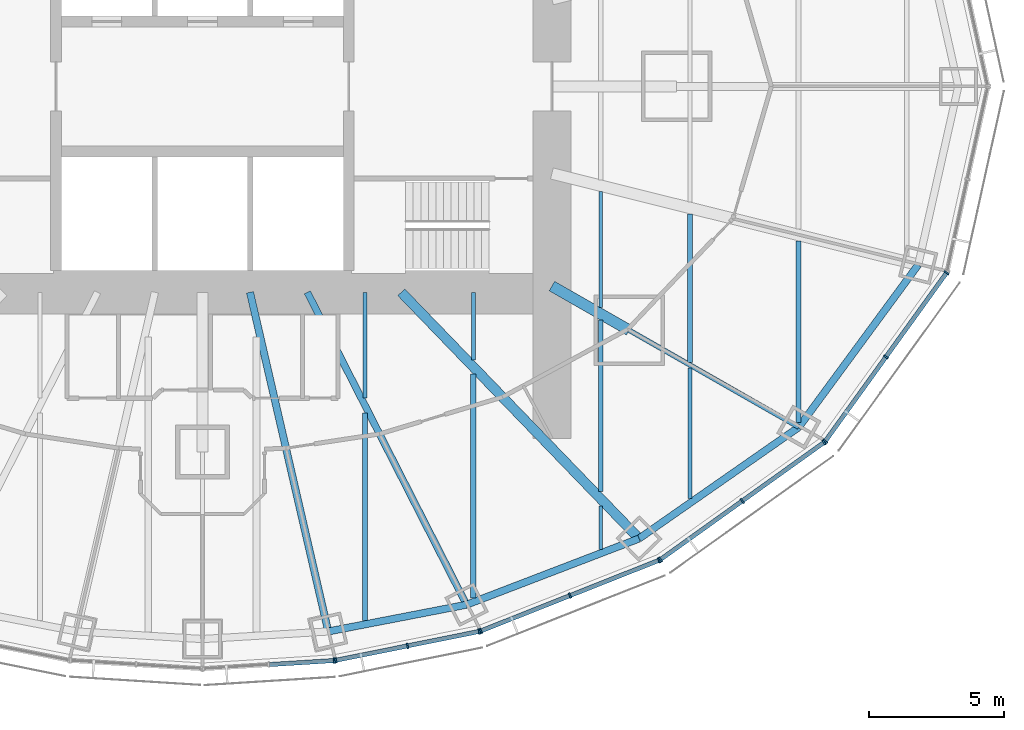
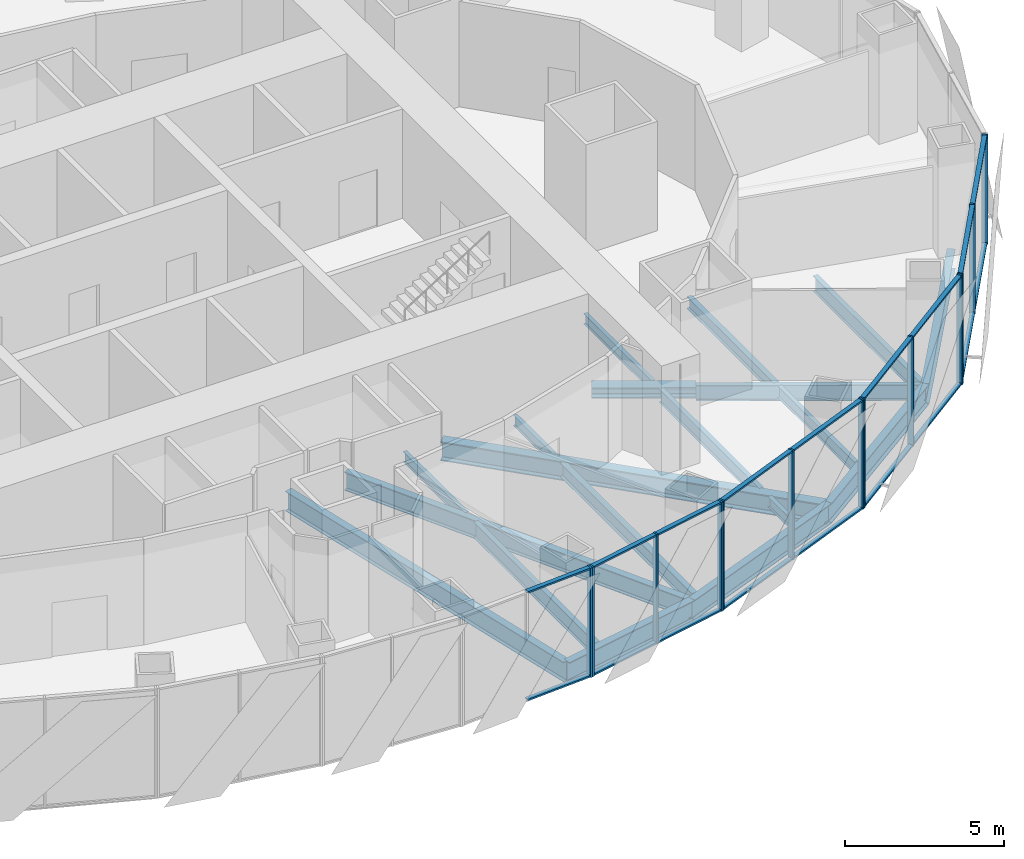
# One storey, part 5 of 18: 31 members, 19 beams, 5 elements without a shape of their own.
"""IFC4 building model written with IfcOpenShell, lengths in metres."""

from ifc_helpers import new_model, si_unit, direction, frame, origin, origin_2d, place, context, subcontext, project, spatial, rectangle, i_section, extrude, material, material_profile, profile_set, type_object, element, aggregate, save


model = new_model("IFC4")

# Units and contexts
model_context = context("Model", 3, precision=1e-05, world=origin(), true_north=direction((0.0, 1.0)))
body_context = subcontext(model_context, "Body", "Model", "MODEL_VIEW")
ifc_project = project(units=[si_unit("LENGTHUNIT", "METRE"), si_unit("AREAUNIT", "SQUARE_METRE"), si_unit("VOLUMEUNIT", "CUBIC_METRE"), si_unit("PLANEANGLEUNIT", "RADIAN"), si_unit("MASSUNIT", "GRAM", prefix="KILO")], contexts=[model_context])

# Site, building, storey
site_placement = place(None, origin())
site = spatial("IfcSite", under=ifc_project, at=site_placement, CompositionType="ELEMENT")
building_placement = place(site_placement, origin())
building = spatial("IfcBuilding", under=site, at=building_placement, Name="Lantaw Convention Tower", CompositionType="ELEMENT")
storey_placement = place(building_placement, frame((0.0, 0.0, 138.39990234375)))
storey = spatial("IfcBuildingStorey", under=building, at=storey_placement, Name="L32", CompositionType="ELEMENT", Elevation=138.39990234375)

# Beams
ifc_material_1 = material(Name="Steel ASTM A992", Category="steel")
ifc_material_profile_1 = material_profile(ifc_material_1, i_section(OverallWidth=0.2666015625, OverallDepth=0.76953125, WebThickness=0.015625, FlangeThickness=0.025390625, FilletRadius=0.0126953125, at=origin_2d()), Name="W30X132")
ifc_profile_set_1 = profile_set([ifc_material_profile_1], Name="Steel ASTM A992")
beam_type_1 = type_object("IfcBeamType", Name="Beam E W30X132", PredefinedType="SPANDREL", material=ifc_profile_set_1)
beam_1_placement = place(storey_placement, frame((4.64501953125, -20.1201171875, -0.53466796875), z_axis=(0.981796805654, 0.189934284446, 0.0), x_axis=(-0.189934284446, 0.981796805654, 0.0)))
element("IfcBeam", 1, at=beam_1_placement, inside=storey, type_object=beam_type_1, Name="Edge beam 20", PredefinedType="SPANDREL", context=body_context, shape_type="SweptSolid", body=[
    extrude(i_section(OverallWidth=0.2666015625, OverallDepth=0.76953125, WebThickness=0.015625, FlangeThickness=0.025390625, FilletRadius=0.0126953125, at=origin_2d()), origin(), (0.0, 0.0, 1.0), 5.1982421875),
])
beam_2_placement = place(storey_placement, frame((9.74853515625, -19.1328125, -0.53466796875), z_axis=(0.933691081977, 0.358079549033, 0.0), x_axis=(-0.358079549033, 0.933691081977, 0.0)))
element("IfcBeam", 2, at=beam_2_placement, inside=storey, type_object=beam_type_1, Name="Edge beam 21", PredefinedType="SPANDREL", context=body_context, shape_type="SweptSolid", body=[
    extrude(i_section(OverallWidth=0.2666015625, OverallDepth=0.76953125, WebThickness=0.015625, FlangeThickness=0.025390625, FilletRadius=0.0126953125, at=origin_2d()), origin(), (0.0, 0.0, 1.0), 6.821533203125),
])
beam_3_placement = place(storey_placement, frame((16.11767578125, -16.690185546875, -0.53466796875), z_axis=(0.820310765287, 0.57191804339, 0.0), x_axis=(-0.57191804339, 0.820310765287, 0.0)))
element("IfcBeam", 3, at=beam_3_placement, inside=storey, type_object=beam_type_1, Name="Edge beam 22", PredefinedType="SPANDREL", context=body_context, shape_type="SweptSolid", body=[
    extrude(i_section(OverallWidth=0.2666015625, OverallDepth=0.76953125, WebThickness=0.015625, FlangeThickness=0.025390625, FilletRadius=0.0126953125, at=origin_2d()), origin(), (0.0, 0.0, 1.0), 7.187744140625),
])
beam_4_placement = place(storey_placement, frame((22.013916015625, -12.579345703125, -0.53466796875), z_axis=(0.5923891972, 0.805651934176, 0.0), x_axis=(-0.805651934176, 0.5923891972, 0.0)))
element("IfcBeam", 4, at=beam_4_placement, inside=storey, type_object=beam_type_1, Name="Edge beam 23", PredefinedType="SPANDREL", context=body_context, shape_type="SweptSolid", body=[
    extrude(i_section(OverallWidth=0.2666015625, OverallDepth=0.76953125, WebThickness=0.015625, FlangeThickness=0.025390625, FilletRadius=0.0126953125, at=origin_2d()), origin(), (0.0, 0.0, 1.0), 7.437744140625),
])
ifc_material_profile_2 = material_profile(ifc_material_1, i_section(OverallWidth=0.177978515625, OverallDepth=0.599365234375, WebThickness=0.010009765625, FlangeThickness=0.012939453125, FilletRadius=0.012939453125, at=origin_2d()), Name="W24X55")
ifc_profile_set_2 = profile_set([ifc_material_profile_2], Name="Steel ASTM A992")
beam_type_2 = type_object("IfcBeamType", Name="Beam G W24X55", PredefinedType="BEAM", material=ifc_profile_set_2)
beam_5_placement = place(storey_placement, frame((15.75, -9.0, -0.44970703125), z_axis=(0.868245224608, -0.496135293993, 0.0), x_axis=(0.496135293993, 0.868245224608, 0.0)))
element("IfcBeam", 5, at=beam_5_placement, inside=storey, type_object=beam_type_2, Name="Floor girder on ray 23", PredefinedType="BEAM", context=body_context, shape_type="SweptSolid", body=[
    extrude(i_section(OverallWidth=0.177978515625, OverallDepth=0.599365234375, WebThickness=0.010009765625, FlangeThickness=0.012939453125, FilletRadius=0.012939453125, at=origin_2d()), origin(), (0.0, 0.0, 1.0), 7.21435546875),
])
ifc_material_profile_3 = material_profile(ifc_material_1, i_section(OverallWidth=0.25390625, OverallDepth=0.700927734375, WebThickness=0.015380859375, FlangeThickness=0.02783203125, FilletRadius=0.01513671875, at=origin_2d()), Name="W27X129")
ifc_profile_set_3 = profile_set([ifc_material_profile_3], Name="Steel ASTM A992")
beam_type_3 = type_object("IfcBeamType", Name="Beam G W27X129", PredefinedType="BEAM", material=ifc_profile_set_3)
beam_6_placement = place(storey_placement, frame((3.872314453125, -7.60009765625, -0.50048828125), z_axis=(0.453991051051, -0.891006243281, 0.0), x_axis=(0.891006243281, 0.453991051051, 0.0)))
element("IfcBeam", 6, at=beam_6_placement, inside=storey, type_object=beam_type_3, Name="Floor girder on ray 21", PredefinedType="BEAM", context=body_context, shape_type="SweptSolid", body=[
    extrude(i_section(OverallWidth=0.25390625, OverallDepth=0.700927734375, WebThickness=0.015380859375, FlangeThickness=0.02783203125, FilletRadius=0.01513671875, at=origin_2d()), origin(), (0.0, 0.0, 1.0), 12.943359375),
])
ifc_material_profile_4 = material_profile(ifc_material_1, i_section(OverallWidth=0.360595703125, OverallDepth=0.72900390625, WebThickness=0.023193359375, FlangeThickness=0.041015625, FilletRadius=0.0126953125, at=origin_2d()), Name="W27X235")
ifc_profile_set_4 = profile_set([ifc_material_profile_4], Name="Steel ASTM A992")
beam_type_4 = type_object("IfcBeamType", Name="Beam G W27X235", PredefinedType="BEAM", material=ifc_profile_set_4)
beam_7_placement = place(storey_placement, frame((7.33935546875, -7.60009765625, -0.514404296875), z_axis=(0.694663467407, -0.719334878239, 0.0), x_axis=(0.719334878239, 0.694663467407, 0.0)))
element("IfcBeam", 7, at=beam_7_placement, inside=storey, type_object=beam_type_4, Name="Floor girder on ray 22", PredefinedType="BEAM", context=body_context, shape_type="SweptSolid", body=[
    extrude(i_section(OverallWidth=0.360595703125, OverallDepth=0.72900390625, WebThickness=0.023193359375, FlangeThickness=0.041015625, FilletRadius=0.0126953125, at=origin_2d()), origin(), (0.0, 0.0, 1.0), 12.63671875),
])
ifc_material_profile_5 = material_profile(ifc_material_1, i_section(OverallWidth=0.2666015625, OverallDepth=0.7568359375, WebThickness=0.013916015625, FlangeThickness=0.019287109375, FilletRadius=0.0126953125, at=origin_2d()), Name="W30X108")
ifc_profile_set_5 = profile_set([ifc_material_profile_5], Name="Steel ASTM A992")
beam_type_5 = type_object("IfcBeamType", Name="Beam G W30X108", PredefinedType="BEAM", material=ifc_profile_set_5)
beam_8_placement = place(storey_placement, frame((1.754638671875, -7.60009765625, -0.5283203125), z_axis=(0.224944153104, -0.974371658036, 0.0), x_axis=(0.974371658036, 0.224944153104, 0.0)))
element("IfcBeam", 8, at=beam_8_placement, inside=storey, type_object=beam_type_5, Name="Floor girder on ray 20", PredefinedType="BEAM", context=body_context, shape_type="SweptSolid", body=[
    extrude(i_section(OverallWidth=0.2666015625, OverallDepth=0.7568359375, WebThickness=0.013916015625, FlangeThickness=0.019287109375, FilletRadius=0.0126953125, at=origin_2d()), origin(), (0.0, 0.0, 1.0), 12.849365234375),
])
ifc_material_profile_6 = material_profile(ifc_material_1, i_section(OverallWidth=0.40380859375, OverallDepth=0.406494140625, WebThickness=0.027099609375, FlangeThickness=0.043701171875, FilletRadius=0.01513671875, at=origin_2d()), Name="W14X233")
ifc_profile_set_6 = profile_set([ifc_material_profile_6], Name="Steel ASTM A992")
beam_type_6 = type_object("IfcBeamType", Name="Beam GM W14X233", PredefinedType="BEAM", material=ifc_profile_set_6)
beam_9_placement = place(storey_placement, frame((12.89990234375, -7.371337890625, -0.35302734375), z_axis=(0.868238565244, -0.496146947811, 0.0), x_axis=(0.496146947811, 0.868238565244, 0.0)))
element("IfcBeam", 9, at=beam_9_placement, inside=storey, type_object=beam_type_6, Name="Core link beam on ray 23", PredefinedType="BEAM", context=body_context, shape_type="SweptSolid", body=[
    extrude(i_section(OverallWidth=0.40380859375, OverallDepth=0.406494140625, WebThickness=0.027099609375, FlangeThickness=0.043701171875, FilletRadius=0.01513671875, at=origin_2d()), origin(), (0.0, 0.0, 1.0), 3.28271484375),
])
ifc_material_profile_7 = material_profile(ifc_material_1, i_section(OverallWidth=0.140380859375, OverallDepth=0.40380859375, WebThickness=0.007080078125, FlangeThickness=0.01123046875, FilletRadius=0.01025390625, at=origin_2d()), Name="W16X31")
ifc_profile_set_7 = profile_set([ifc_material_profile_7], Name="Steel ASTM A992")
beam_type_7 = type_object("IfcBeamType", Name="Beam J W16X31", PredefinedType="JOIST", material=ifc_profile_set_7)
beam_10_placement = place(storey_placement, frame((6.0, -11.495849609375, -0.351806640625), z_axis=(0.0, 1.0, 0.0), x_axis=(-1.0, 0.0, 0.0)))
element("IfcBeam", 10, at=beam_10_placement, inside=storey, type_object=beam_type_7, Name="Floor joist", PredefinedType="JOIST", context=body_context, shape_type="SweptSolid", body=[
    extrude(i_section(OverallWidth=0.140380859375, OverallDepth=0.40380859375, WebThickness=0.007080078125, FlangeThickness=0.01123046875, FilletRadius=0.01025390625, at=origin_2d()), origin(), (0.0, 0.0, 1.0), 3.895751953125),
])
beam_11_placement = place(storey_placement, frame((10.0, -10.095703125, -0.351806640625), z_axis=(0.0, 1.0, 0.0), x_axis=(-1.0, 0.0, 0.0)))
element("IfcBeam", 11, at=beam_11_placement, inside=storey, type_object=beam_type_7, Name="Floor joist", PredefinedType="JOIST", context=body_context, shape_type="SweptSolid", body=[
    extrude(i_section(OverallWidth=0.140380859375, OverallDepth=0.40380859375, WebThickness=0.007080078125, FlangeThickness=0.01123046875, FilletRadius=0.01025390625, at=origin_2d()), origin(), (0.0, 0.0, 1.0), 2.49560546875),
])
beam_12_placement = place(storey_placement, frame((14.699951171875, -17.091064453125, -0.351806640625), z_axis=(0.0, 1.0, 0.0), x_axis=(-1.0, 0.0, 0.0)))
element("IfcBeam", 12, at=beam_12_placement, inside=storey, type_object=beam_type_7, Name="Floor joist", PredefinedType="JOIST", context=body_context, shape_type="SweptSolid", body=[
    extrude(i_section(OverallWidth=0.140380859375, OverallDepth=0.40380859375, WebThickness=0.007080078125, FlangeThickness=0.01123046875, FilletRadius=0.01025390625, at=origin_2d()), origin(), (0.0, 0.0, 1.0), 1.609130859375),
])
beam_13_placement = place(storey_placement, frame((14.699951171875, -8.16748046875, -0.351806640625), z_axis=(0.0, 1.0, 0.0), x_axis=(-1.0, 0.0, 0.0)))
element("IfcBeam", 13, at=beam_13_placement, inside=storey, type_object=beam_type_7, Name="Floor joist", PredefinedType="JOIST", context=body_context, shape_type="SweptSolid", body=[
    extrude(i_section(OverallWidth=0.140380859375, OverallDepth=0.40380859375, WebThickness=0.007080078125, FlangeThickness=0.01123046875, FilletRadius=0.01025390625, at=origin_2d()), origin(), (0.0, 0.0, 1.0), 4.28515625),
])
ifc_material_profile_8 = material_profile(ifc_material_1, i_section(OverallWidth=0.15234375, OverallDepth=0.449462890625, WebThickness=0.007568359375, FlangeThickness=0.0107421875, FilletRadius=0.01025390625, at=origin_2d()), Name="W18X35")
ifc_profile_set_8 = profile_set([ifc_material_profile_8], Name="Steel ASTM A992")
beam_type_8 = type_object("IfcBeamType", Name="Beam J W18X35", PredefinedType="JOIST", material=ifc_profile_set_8)
beam_14_placement = place(storey_placement, frame((18.0, -15.21533203125, -0.374755859375), z_axis=(0.0, 1.0, 0.0), x_axis=(-1.0, 0.0, 0.0)))
element("IfcBeam", 14, at=beam_14_placement, inside=storey, type_object=beam_type_8, Name="Floor joist", PredefinedType="JOIST", context=body_context, shape_type="SweptSolid", body=[
    extrude(i_section(OverallWidth=0.15234375, OverallDepth=0.449462890625, WebThickness=0.007568359375, FlangeThickness=0.0107421875, FilletRadius=0.01025390625, at=origin_2d()), origin(), (0.0, 0.0, 1.0), 4.8271484375),
])
ifc_material_profile_9 = material_profile(ifc_material_1, i_section(OverallWidth=0.1904296875, OverallDepth=0.457275390625, WebThickness=0.009033203125, FlangeThickness=0.014404296875, FilletRadius=0.01025390625, at=origin_2d()), Name="W18X50")
ifc_profile_set_9 = profile_set([ifc_material_profile_9], Name="Steel ASTM A992")
beam_type_9 = type_object("IfcBeamType", Name="Beam J W18X50", PredefinedType="JOIST", material=ifc_profile_set_9)
beam_15_placement = place(storey_placement, frame((18.0, -10.18310546875, -0.37841796875), z_axis=(0.0, 1.0, 0.0), x_axis=(-1.0, 0.0, 0.0)))
element("IfcBeam", 15, at=beam_15_placement, inside=storey, type_object=beam_type_9, Name="Floor joist", PredefinedType="JOIST", context=body_context, shape_type="SweptSolid", body=[
    extrude(i_section(OverallWidth=0.1904296875, OverallDepth=0.457275390625, WebThickness=0.009033203125, FlangeThickness=0.014404296875, FilletRadius=0.01025390625, at=origin_2d()), origin(), (0.0, 0.0, 1.0), 5.47802734375),
])
ifc_material_profile_10 = material_profile(ifc_material_1, i_section(OverallWidth=0.1650390625, OverallDepth=0.52587890625, WebThickness=0.0087890625, FlangeThickness=0.011474609375, FilletRadius=0.0126953125, at=origin_2d()), Name="W21X44")
ifc_profile_set_10 = profile_set([ifc_material_profile_10], Name="Steel ASTM A992")
beam_type_10 = type_object("IfcBeamType", Name="Beam J W21X44", PredefinedType="JOIST", material=ifc_profile_set_10)
beam_16_placement = place(storey_placement, frame((14.699951171875, -14.962646484375, -0.412841796875), z_axis=(0.0, 1.0, 0.0), x_axis=(-1.0, 0.0, 0.0)))
element("IfcBeam", 16, at=beam_16_placement, inside=storey, type_object=beam_type_10, Name="Floor joist", PredefinedType="JOIST", context=body_context, shape_type="SweptSolid", body=[
    extrude(i_section(OverallWidth=0.1650390625, OverallDepth=0.52587890625, WebThickness=0.0087890625, FlangeThickness=0.011474609375, FilletRadius=0.0126953125, at=origin_2d()), origin(), (0.0, 0.0, 1.0), 6.330078125),
])
ifc_material_profile_11 = material_profile(ifc_material_1, i_section(OverallWidth=0.2099609375, OverallDepth=0.535888671875, WebThickness=0.010986328125, FlangeThickness=0.017333984375, FilletRadius=0.012939453125, at=origin_2d()), Name="W21X68")
ifc_profile_set_11 = profile_set([ifc_material_profile_11], Name="Steel ASTM A992")
beam_type_11 = type_object("IfcBeamType", Name="Beam J W21X68", PredefinedType="JOIST", material=ifc_profile_set_11)
beam_17_placement = place(storey_placement, frame((10.0, -18.8935546875, -0.41796875), z_axis=(0.0, 1.0, 0.0), x_axis=(-1.0, 0.0, 0.0)))
element("IfcBeam", 17, at=beam_17_placement, inside=storey, type_object=beam_type_11, Name="Floor joist", PredefinedType="JOIST", context=body_context, shape_type="SweptSolid", body=[
    extrude(i_section(OverallWidth=0.2099609375, OverallDepth=0.535888671875, WebThickness=0.010986328125, FlangeThickness=0.017333984375, FilletRadius=0.012939453125, at=origin_2d()), origin(), (0.0, 0.0, 1.0), 8.278564453125),
])
ifc_material_profile_12 = material_profile(ifc_material_1, i_section(OverallWidth=0.177978515625, OverallDepth=0.599365234375, WebThickness=0.010009765625, FlangeThickness=0.012939453125, FilletRadius=0.012939453125, at=origin_2d()), Name="W24X55")
ifc_profile_set_12 = profile_set([ifc_material_profile_12], Name="Steel ASTM A992")
beam_type_12 = type_object("IfcBeamType", Name="Beam J W24X55", PredefinedType="JOIST", material=ifc_profile_set_12)
beam_18_placement = place(storey_placement, frame((6.0, -19.72216796875, -0.44970703125), z_axis=(0.0, 1.0, 0.0), x_axis=(-1.0, 0.0, 0.0)))
element("IfcBeam", 18, at=beam_18_placement, inside=storey, type_object=beam_type_12, Name="Floor joist", PredefinedType="JOIST", context=body_context, shape_type="SweptSolid", body=[
    extrude(i_section(OverallWidth=0.177978515625, OverallDepth=0.599365234375, WebThickness=0.010009765625, FlangeThickness=0.012939453125, FilletRadius=0.012939453125, at=origin_2d()), origin(), (0.0, 0.0, 1.0), 7.666748046875),
])
beam_19_placement = place(storey_placement, frame((22.0, -12.408935546875, -0.44970703125), z_axis=(0.0, 1.0, 0.0), x_axis=(-1.0, 0.0, 0.0)))
element("IfcBeam", 19, at=beam_19_placement, inside=storey, type_object=beam_type_12, Name="Floor joist", PredefinedType="JOIST", context=body_context, shape_type="SweptSolid", body=[
    extrude(i_section(OverallWidth=0.177978515625, OverallDepth=0.599365234375, WebThickness=0.010009765625, FlangeThickness=0.012939453125, FilletRadius=0.012939453125, at=origin_2d()), origin(), (0.0, 0.0, 1.0), 6.70654296875),
])

# Curtain wall, member
ifc_material_2 = material(Name="Aluminium framed curtain wall", Category="aluminium")
curtain_wall_type = type_object("IfcCurtainWallType", Name="Office curtain wall low rise, pale aluminium", PredefinedType="USERDEFINED", material=ifc_material_2)
curtain_wall_1_placement = place(storey_placement, origin())
curtain_wall_1 = element("IfcCurtainWall", 20, at=curtain_wall_1_placement, inside=storey, type_object=curtain_wall_type, Name="Office curtain wall low rise, pale aluminium L32", ObjectType="UNITISED CURTAIN WALL", PredefinedType="USERDEFINED")
ifc_material_3 = material(Name="Aluminium 6063-T6", Category="aluminium")
ifc_material_profile_13 = material_profile(ifc_material_3, rectangle(XDim=0.199951171875, YDim=0.06494140625, at=origin_2d()), Name="CW-O1 mullion 65x200")
ifc_profile_set_13 = profile_set([ifc_material_profile_13], Name="Aluminium 6063-T6")
member_type_1 = type_object("IfcMemberType", Name="CW-O1 mullion 65x200", PredefinedType="MULLION", material=ifc_profile_set_13)
member_1_placement = place(storey_placement, frame((4.860107421875, -21.19384765625, -0.14990234375), z_axis=(0.0, 0.0, 1.0), x_axis=(-0.062865059466, 0.998022035978, 0.0)))
member_1 = element("IfcMember", 21, at=member_1_placement, type_object=member_type_1, Name="CW-O1 mullion 3", PredefinedType="MULLION", context=body_context, shape_type="SweptSolid", body=[
    extrude(rectangle(XDim=0.199951171875, YDim=0.06494140625, at=origin_2d()), origin(), (0.0, 0.0, 1.0), 4.199951171875),
])

# Curtain wall, members
curtain_wall_2_placement = place(storey_placement, origin())
curtain_wall_2 = element("IfcCurtainWall", 22, at=curtain_wall_2_placement, inside=storey, type_object=curtain_wall_type, Name="Office curtain wall low rise, pale aluminium L32", ObjectType="UNITISED CURTAIN WALL", PredefinedType="USERDEFINED")
member_2_placement = place(storey_placement, frame((4.92431640625, -21.185302734375, -0.14990234375), z_axis=(0.0, 0.0, 1.0), x_axis=(-0.197506809659, 0.980301514912, 0.0)))
member_2 = element("IfcMember", 23, at=member_2_placement, type_object=member_type_1, Name="CW-O1 mullion 1", PredefinedType="MULLION", context=body_context, shape_type="SweptSolid", body=[
    extrude(rectangle(XDim=0.199951171875, YDim=0.06494140625, at=origin_2d()), origin(), (0.0, 0.0, 1.0), 4.199951171875),
])
member_3_placement = place(storey_placement, frame((7.5703125, -20.65234375, -0.14990234375), z_axis=(0.0, 0.0, 1.0), x_axis=(-0.197506809659, 0.980301514912, 0.0)))
member_3 = element("IfcMember", 24, at=member_3_placement, type_object=member_type_1, Name="CW-O1 mullion 2", PredefinedType="MULLION", context=body_context, shape_type="SweptSolid", body=[
    extrude(rectangle(XDim=0.199951171875, YDim=0.06494140625, at=origin_2d()), origin(), (0.0, 0.0, 1.0), 4.199951171875),
])
member_4_placement = place(storey_placement, frame((10.216064453125, -20.119140625, -0.14990234375), z_axis=(0.0, 0.0, 1.0), x_axis=(-0.197506809659, 0.980301514912, 0.0)))
member_4 = element("IfcMember", 25, at=member_4_placement, type_object=member_type_1, Name="CW-O1 mullion 3", PredefinedType="MULLION", context=body_context, shape_type="SweptSolid", body=[
    extrude(rectangle(XDim=0.199951171875, YDim=0.06494140625, at=origin_2d()), origin(), (0.0, 0.0, 1.0), 4.199951171875),
])

curtain_wall_3_placement = place(storey_placement, origin())
curtain_wall_3 = element("IfcCurtainWall", 26, at=curtain_wall_3_placement, inside=storey, type_object=curtain_wall_type, Name="Office curtain wall low rise, pale aluminium L32", ObjectType="UNITISED CURTAIN WALL", PredefinedType="USERDEFINED")
member_5_placement = place(storey_placement, frame((10.2783203125, -20.100830078125, -0.14990234375), z_axis=(0.0, 0.0, 1.0), x_axis=(-0.368701907483, 0.929547687544, 0.0)))
member_5 = element("IfcMember", 27, at=member_5_placement, type_object=member_type_1, Name="CW-O1 mullion 1", PredefinedType="MULLION", context=body_context, shape_type="SweptSolid", body=[
    extrude(rectangle(XDim=0.199951171875, YDim=0.06494140625, at=origin_2d()), origin(), (0.0, 0.0, 1.0), 4.199951171875),
])
member_6_placement = place(storey_placement, frame((13.56494140625, -18.797119140625, -0.14990234375), z_axis=(0.0, 0.0, 1.0), x_axis=(-0.368701907483, 0.929547687544, 0.0)))
member_6 = element("IfcMember", 28, at=member_6_placement, type_object=member_type_1, Name="CW-O1 mullion 2", PredefinedType="MULLION", context=body_context, shape_type="SweptSolid", body=[
    extrude(rectangle(XDim=0.199951171875, YDim=0.06494140625, at=origin_2d()), origin(), (0.0, 0.0, 1.0), 4.199951171875),
])
member_7_placement = place(storey_placement, frame((16.8515625, -17.49365234375, -0.14990234375), z_axis=(0.0, 0.0, 1.0), x_axis=(-0.368701907483, 0.929547687544, 0.0)))
member_7 = element("IfcMember", 29, at=member_7_placement, type_object=member_type_1, Name="CW-O1 mullion 3", PredefinedType="MULLION", context=body_context, shape_type="SweptSolid", body=[
    extrude(rectangle(XDim=0.199951171875, YDim=0.06494140625, at=origin_2d()), origin(), (0.0, 0.0, 1.0), 4.199951171875),
])

curtain_wall_4_placement = place(storey_placement, origin())
curtain_wall_4 = element("IfcCurtainWall", 30, at=curtain_wall_4_placement, inside=storey, type_object=curtain_wall_type, Name="Office curtain wall low rise, pale aluminium L32", ObjectType="UNITISED CURTAIN WALL", PredefinedType="USERDEFINED")
member_8_placement = place(storey_placement, frame((16.908203125, -17.462646484375, -0.14990234375), z_axis=(0.0, 0.0, 1.0), x_axis=(-0.581972695693, 0.813208325995, 0.0)))
member_8 = element("IfcMember", 31, at=member_8_placement, type_object=member_type_1, Name="CW-O1 mullion 1", PredefinedType="MULLION", context=body_context, shape_type="SweptSolid", body=[
    extrude(rectangle(XDim=0.199951171875, YDim=0.06494140625, at=origin_2d()), origin(), (0.0, 0.0, 1.0), 4.199951171875),
])
member_9_placement = place(storey_placement, frame((19.92529296875, -15.303466796875, -0.14990234375), z_axis=(0.0, 0.0, 1.0), x_axis=(-0.581972695693, 0.813208325995, 0.0)))
member_9 = element("IfcMember", 32, at=member_9_placement, type_object=member_type_1, Name="CW-O1 mullion 2", PredefinedType="MULLION", context=body_context, shape_type="SweptSolid", body=[
    extrude(rectangle(XDim=0.199951171875, YDim=0.06494140625, at=origin_2d()), origin(), (0.0, 0.0, 1.0), 4.199951171875),
])
member_10_placement = place(storey_placement, frame((22.942626953125, -13.14404296875, -0.14990234375), z_axis=(0.0, 0.0, 1.0), x_axis=(-0.581972695693, 0.813208325995, 0.0)))
member_10 = element("IfcMember", 33, at=member_10_placement, type_object=member_type_1, Name="CW-O1 mullion 3", PredefinedType="MULLION", context=body_context, shape_type="SweptSolid", body=[
    extrude(rectangle(XDim=0.199951171875, YDim=0.06494140625, at=origin_2d()), origin(), (0.0, 0.0, 1.0), 4.199951171875),
])

curtain_wall_5_placement = place(storey_placement, origin())
curtain_wall_5 = element("IfcCurtainWall", 34, at=curtain_wall_5_placement, inside=storey, type_object=curtain_wall_type, Name="Office curtain wall low rise, pale aluminium L32", ObjectType="UNITISED CURTAIN WALL", PredefinedType="USERDEFINED")
member_11_placement = place(storey_placement, frame((22.988037109375, -13.098876953125, -0.14990234375), z_axis=(0.0, 0.0, 1.0), x_axis=(-0.811384633629, 0.584512597221, 0.0)))
member_11 = element("IfcMember", 35, at=member_11_placement, type_object=member_type_1, Name="CW-O1 mullion 1", PredefinedType="MULLION", context=body_context, shape_type="SweptSolid", body=[
    extrude(rectangle(XDim=0.199951171875, YDim=0.06494140625, at=origin_2d()), origin(), (0.0, 0.0, 1.0), 4.199951171875),
])
member_12_placement = place(storey_placement, frame((25.22802734375, -9.9892578125, -0.14990234375), z_axis=(0.0, 0.0, 1.0), x_axis=(-0.811384633629, 0.584512597221, 0.0)))
member_12 = element("IfcMember", 36, at=member_12_placement, type_object=member_type_1, Name="CW-O1 mullion 2", PredefinedType="MULLION", context=body_context, shape_type="SweptSolid", body=[
    extrude(rectangle(XDim=0.199951171875, YDim=0.06494140625, at=origin_2d()), origin(), (0.0, 0.0, 1.0), 4.199951171875),
])
member_13_placement = place(storey_placement, frame((27.46826171875, -6.879638671875, -0.14990234375), z_axis=(0.0, 0.0, 1.0), x_axis=(-0.811384633629, 0.584512597221, 0.0)))
member_13 = element("IfcMember", 37, at=member_13_placement, type_object=member_type_1, Name="CW-O1 mullion 3", PredefinedType="MULLION", context=body_context, shape_type="SweptSolid", body=[
    extrude(rectangle(XDim=0.199951171875, YDim=0.06494140625, at=origin_2d()), origin(), (0.0, 0.0, 1.0), 4.199951171875),
])

# Member
ifc_material_profile_14 = material_profile(ifc_material_3, rectangle(XDim=0.159912109375, YDim=0.06494140625, at=origin_2d()), Name="CW-O1 transom 65x160")
ifc_profile_set_14 = profile_set([ifc_material_profile_14], Name="Aluminium 6063-T6")
member_type_2 = type_object("IfcMemberType", Name="CW-O1 transom 65x160", PredefinedType="USERDEFINED", material=ifc_profile_set_14)
member_14_placement = place(storey_placement, frame((2.478759765625, -21.34375, -0.117431640625), z_axis=(0.998022188463, 0.062862638625, 0.0), x_axis=(-0.062862638625, 0.998022188463, 0.0)))
member_14 = element("IfcMember", 38, at=member_14_placement, type_object=member_type_2, Name="CW-O1 transom 2.1", ObjectType="TRANSOM", PredefinedType="USERDEFINED", context=body_context, shape_type="SweptSolid", body=[
    extrude(rectangle(XDim=0.159912109375, YDim=0.06494140625, at=origin_2d()), origin(), (0.0, 0.0, 1.0), 2.353515625),
])

member_15_placement = place(storey_placement, frame((2.478759765625, -21.34375, 4.017578125), z_axis=(0.998022188463, 0.062862638625, 0.0), x_axis=(-0.062862638625, 0.998022188463, 0.0)))
member_15 = element("IfcMember", 39, at=member_15_placement, type_object=member_type_2, Name="CW-O1 transom 2.2", ObjectType="TRANSOM", PredefinedType="USERDEFINED", context=body_context, shape_type="SweptSolid", body=[
    extrude(rectangle(XDim=0.159912109375, YDim=0.06494140625, at=origin_2d()), origin(), (0.0, 0.0, 1.0), 2.353515625),
])

aggregate(curtain_wall_1, [member_1, member_14, member_15])

member_16_placement = place(storey_placement, frame((4.956298828125, -21.178955078125, -0.117431640625), z_axis=(0.980298027092, 0.197524120247, 0.0), x_axis=(-0.197524120247, 0.980298027092, 0.0)))
member_16 = element("IfcMember", 40, at=member_16_placement, type_object=member_type_2, Name="CW-O1 transom 1.1", ObjectType="TRANSOM", PredefinedType="USERDEFINED", context=body_context, shape_type="SweptSolid", body=[
    extrude(rectangle(XDim=0.159912109375, YDim=0.06494140625, at=origin_2d()), origin(), (0.0, 0.0, 1.0), 2.634033203125),
])

member_17_placement = place(storey_placement, frame((4.956298828125, -21.178955078125, 4.017578125), z_axis=(0.980298027092, 0.197524120247, 0.0), x_axis=(-0.197524120247, 0.980298027092, 0.0)))
member_17 = element("IfcMember", 41, at=member_17_placement, type_object=member_type_2, Name="CW-O1 transom 1.2", ObjectType="TRANSOM", PredefinedType="USERDEFINED", context=body_context, shape_type="SweptSolid", body=[
    extrude(rectangle(XDim=0.159912109375, YDim=0.06494140625, at=origin_2d()), origin(), (0.0, 0.0, 1.0), 2.634033203125),
])

member_18_placement = place(storey_placement, frame((7.60205078125, -20.64599609375, -0.117431640625), z_axis=(0.980301643003, 0.197506173891, 0.0), x_axis=(-0.197506173891, 0.980301643003, 0.0)))
member_18 = element("IfcMember", 42, at=member_18_placement, type_object=member_type_2, Name="CW-O1 transom 2.1", ObjectType="TRANSOM", PredefinedType="USERDEFINED", context=body_context, shape_type="SweptSolid", body=[
    extrude(rectangle(XDim=0.159912109375, YDim=0.06494140625, at=origin_2d()), origin(), (0.0, 0.0, 1.0), 2.63427734375),
])

member_19_placement = place(storey_placement, frame((7.60205078125, -20.64599609375, 4.017578125), z_axis=(0.980301643003, 0.197506173891, 0.0), x_axis=(-0.197506173891, 0.980301643003, 0.0)))
member_19 = element("IfcMember", 43, at=member_19_placement, type_object=member_type_2, Name="CW-O1 transom 2.2", ObjectType="TRANSOM", PredefinedType="USERDEFINED", context=body_context, shape_type="SweptSolid", body=[
    extrude(rectangle(XDim=0.159912109375, YDim=0.06494140625, at=origin_2d()), origin(), (0.0, 0.0, 1.0), 2.63427734375),
])

aggregate(curtain_wall_2, [member_2, member_3, member_4, member_16, member_17, member_18, member_19])

member_20_placement = place(storey_placement, frame((10.308349609375, -20.0888671875, -0.117431640625), z_axis=(0.929540081544, 0.368721082668, 0.0), x_axis=(-0.368721082668, 0.929540081544, 0.0)))
member_20 = element("IfcMember", 44, at=member_20_placement, type_object=member_type_2, Name="CW-O1 transom 1.1", ObjectType="TRANSOM", PredefinedType="USERDEFINED", context=body_context, shape_type="SweptSolid", body=[
    extrude(rectangle(XDim=0.159912109375, YDim=0.06494140625, at=origin_2d()), origin(), (0.0, 0.0, 1.0), 3.470947265625),
])

member_21_placement = place(storey_placement, frame((10.308349609375, -20.0888671875, 4.017578125), z_axis=(0.929540081544, 0.368721082668, 0.0), x_axis=(-0.368721082668, 0.929540081544, 0.0)))
member_21 = element("IfcMember", 45, at=member_21_placement, type_object=member_type_2, Name="CW-O1 transom 1.2", ObjectType="TRANSOM", PredefinedType="USERDEFINED", context=body_context, shape_type="SweptSolid", body=[
    extrude(rectangle(XDim=0.159912109375, YDim=0.06494140625, at=origin_2d()), origin(), (0.0, 0.0, 1.0), 3.470947265625),
])

member_22_placement = place(storey_placement, frame((13.594970703125, -18.78515625, -0.117431640625), z_axis=(0.929564188507, 0.368660303592, 0.0), x_axis=(-0.368660303592, 0.929564188507, 0.0)))
member_22 = element("IfcMember", 46, at=member_22_placement, type_object=member_type_2, Name="CW-O1 transom 2.1", ObjectType="TRANSOM", PredefinedType="USERDEFINED", context=body_context, shape_type="SweptSolid", body=[
    extrude(rectangle(XDim=0.159912109375, YDim=0.06494140625, at=origin_2d()), origin(), (0.0, 0.0, 1.0), 3.470703125),
])

member_23_placement = place(storey_placement, frame((13.594970703125, -18.78515625, 4.017578125), z_axis=(0.929564188507, 0.368660303592, 0.0), x_axis=(-0.368660303592, 0.929564188507, 0.0)))
member_23 = element("IfcMember", 47, at=member_23_placement, type_object=member_type_2, Name="CW-O1 transom 2.2", ObjectType="TRANSOM", PredefinedType="USERDEFINED", context=body_context, shape_type="SweptSolid", body=[
    extrude(rectangle(XDim=0.159912109375, YDim=0.06494140625, at=origin_2d()), origin(), (0.0, 0.0, 1.0), 3.470703125),
])

aggregate(curtain_wall_3, [member_5, member_6, member_7, member_20, member_21, member_22, member_23])

member_24_placement = place(storey_placement, frame((16.9345703125, -17.44384765625, -0.117431640625), z_axis=(0.813190089133, 0.581998177777, 0.0), x_axis=(-0.581998177777, 0.813190089133, 0.0)))
member_24 = element("IfcMember", 48, at=member_24_placement, type_object=member_type_2, Name="CW-O1 transom 1.1", ObjectType="TRANSOM", PredefinedType="USERDEFINED", context=body_context, shape_type="SweptSolid", body=[
    extrude(rectangle(XDim=0.159912109375, YDim=0.06494140625, at=origin_2d()), origin(), (0.0, 0.0, 1.0), 3.645263671875),
])

member_25_placement = place(storey_placement, frame((16.9345703125, -17.44384765625, 4.017578125), z_axis=(0.813190089133, 0.581998177777, 0.0), x_axis=(-0.581998177777, 0.813190089133, 0.0)))
member_25 = element("IfcMember", 49, at=member_25_placement, type_object=member_type_2, Name="CW-O1 transom 1.2", ObjectType="TRANSOM", PredefinedType="USERDEFINED", context=body_context, shape_type="SweptSolid", body=[
    extrude(rectangle(XDim=0.159912109375, YDim=0.06494140625, at=origin_2d()), origin(), (0.0, 0.0, 1.0), 3.645263671875),
])

member_26_placement = place(storey_placement, frame((19.951904296875, -15.284423828125, -0.117431640625), z_axis=(0.813221785972, 0.581953887194, 0.0), x_axis=(-0.581953887194, 0.813221785972, 0.0)))
member_26 = element("IfcMember", 50, at=member_26_placement, type_object=member_type_2, Name="CW-O1 transom 2.1", ObjectType="TRANSOM", PredefinedType="USERDEFINED", context=body_context, shape_type="SweptSolid", body=[
    extrude(rectangle(XDim=0.159912109375, YDim=0.06494140625, at=origin_2d()), origin(), (0.0, 0.0, 1.0), 3.645263671875),
])

member_27_placement = place(storey_placement, frame((19.951904296875, -15.284423828125, 4.017578125), z_axis=(0.813221785972, 0.581953887194, 0.0), x_axis=(-0.581953887194, 0.813221785972, 0.0)))
member_27 = element("IfcMember", 51, at=member_27_placement, type_object=member_type_2, Name="CW-O1 transom 2.2", ObjectType="TRANSOM", PredefinedType="USERDEFINED", context=body_context, shape_type="SweptSolid", body=[
    extrude(rectangle(XDim=0.159912109375, YDim=0.06494140625, at=origin_2d()), origin(), (0.0, 0.0, 1.0), 3.645263671875),
])

aggregate(curtain_wall_4, [member_8, member_9, member_10, member_24, member_25, member_26, member_27])

member_28_placement = place(storey_placement, frame((23.007080078125, -13.072509765625, -0.117431640625), z_axis=(0.584512973979, 0.811384362217, 0.0), x_axis=(-0.811384362217, 0.584512973979, 0.0)))
member_28 = element("IfcMember", 52, at=member_28_placement, type_object=member_type_2, Name="CW-O1 transom 1.1", ObjectType="TRANSOM", PredefinedType="USERDEFINED", context=body_context, shape_type="SweptSolid", body=[
    extrude(rectangle(XDim=0.159912109375, YDim=0.06494140625, at=origin_2d()), origin(), (0.0, 0.0, 1.0), 3.767578125),
])

member_29_placement = place(storey_placement, frame((23.007080078125, -13.072509765625, 4.017578125), z_axis=(0.584512973979, 0.811384362217, 0.0), x_axis=(-0.811384362217, 0.584512973979, 0.0)))
member_29 = element("IfcMember", 53, at=member_29_placement, type_object=member_type_2, Name="CW-O1 transom 1.2", ObjectType="TRANSOM", PredefinedType="USERDEFINED", context=body_context, shape_type="SweptSolid", body=[
    extrude(rectangle(XDim=0.159912109375, YDim=0.06494140625, at=origin_2d()), origin(), (0.0, 0.0, 1.0), 3.767578125),
])

member_30_placement = place(storey_placement, frame((25.2470703125, -9.962890625, -0.117431640625), z_axis=(0.584512973979, 0.811384362217, 0.0), x_axis=(-0.811384362217, 0.584512973979, 0.0)))
member_30 = element("IfcMember", 54, at=member_30_placement, type_object=member_type_2, Name="CW-O1 transom 2.1", ObjectType="TRANSOM", PredefinedType="USERDEFINED", context=body_context, shape_type="SweptSolid", body=[
    extrude(rectangle(XDim=0.159912109375, YDim=0.06494140625, at=origin_2d()), origin(), (0.0, 0.0, 1.0), 3.767578125),
])

member_31_placement = place(storey_placement, frame((25.2470703125, -9.962890625, 4.017578125), z_axis=(0.584512973979, 0.811384362217, 0.0), x_axis=(-0.811384362217, 0.584512973979, 0.0)))
member_31 = element("IfcMember", 55, at=member_31_placement, type_object=member_type_2, Name="CW-O1 transom 2.2", ObjectType="TRANSOM", PredefinedType="USERDEFINED", context=body_context, shape_type="SweptSolid", body=[
    extrude(rectangle(XDim=0.159912109375, YDim=0.06494140625, at=origin_2d()), origin(), (0.0, 0.0, 1.0), 3.767578125),
])

aggregate(curtain_wall_5, [member_11, member_12, member_13, member_28, member_29, member_30, member_31])

save(model, "model.ifc")
